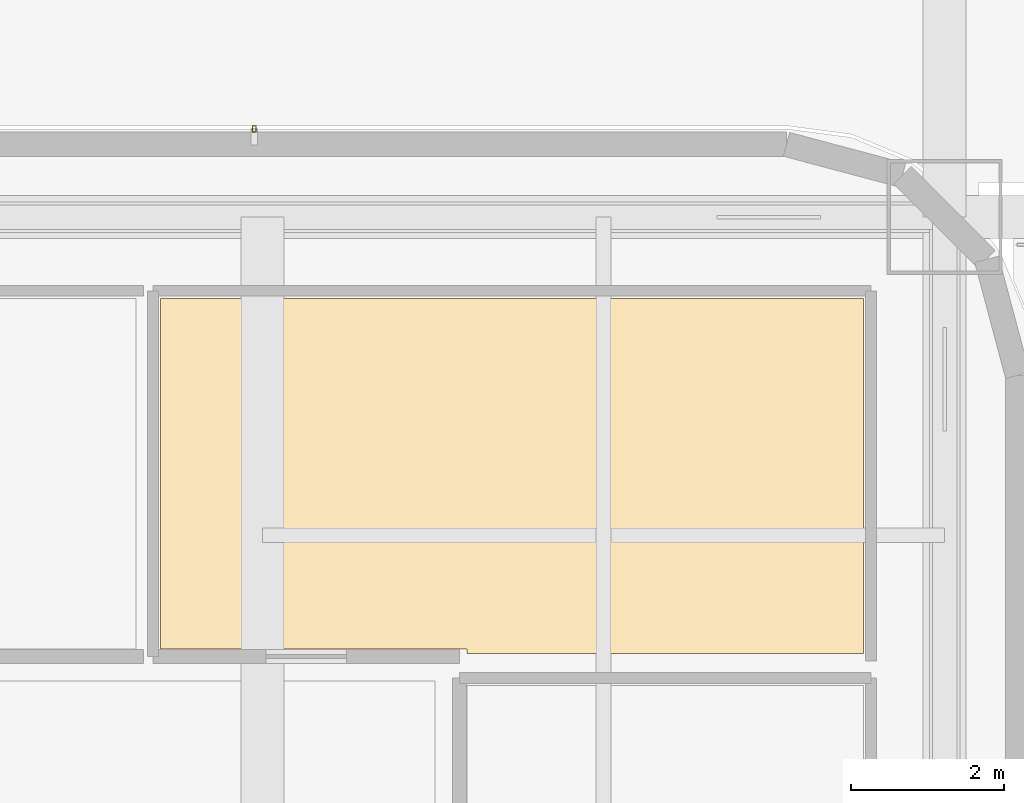
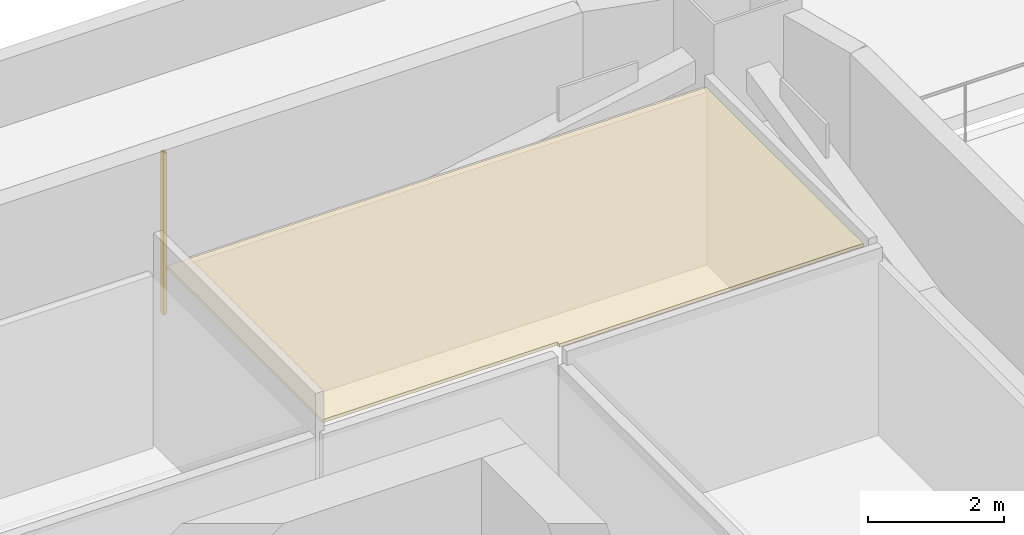
# One storey, part 29 of 30: 1 covering, 1 shading device.
"""IFC4 building model written with IfcOpenShell, lengths in metres."""

from ifc_helpers import new_model, si_unit, direction, frame, origin, origin_2d, place, context, subcontext, project, spatial, polyline, hollow_rectangle, outline, extrude, material, layer, layer_set, material_profile, profile_set, type_object, element, save


model = new_model("IFC4")

# Units and contexts
model_context = context("Model", 3, precision=1e-05, world=origin(), true_north=direction((0.0, 1.0)))
body_context = subcontext(model_context, "Body", "Model", "MODEL_VIEW")
ifc_project = project(units=[si_unit("LENGTHUNIT", "METRE"), si_unit("AREAUNIT", "SQUARE_METRE"), si_unit("VOLUMEUNIT", "CUBIC_METRE"), si_unit("PLANEANGLEUNIT", "RADIAN"), si_unit("MASSUNIT", "GRAM", prefix="KILO")], contexts=[model_context])

# Site, building, storey
site_placement = place(None, origin())
site = spatial("IfcSite", under=ifc_project, at=site_placement, CompositionType="ELEMENT")
building_placement = place(site_placement, origin())
building = spatial("IfcBuilding", under=site, at=building_placement, Name="Punatoya Terracotta Tower", CompositionType="ELEMENT")
storey_placement = place(building_placement, frame((0.0, 0.0, 28.199951171875)))
storey = spatial("IfcBuildingStorey", under=building, at=storey_placement, Name="L05", CompositionType="ELEMENT", Elevation=28.199951171875)

# Covering
ifc_material_1 = material(Name="Acoustic Mineral Fibre Ceiling")
ifc_layer = layer(ifc_material_1, 0.06005859375)
ifc_layer_set = layer_set([ifc_layer], Name="Acoustic Mineral Fibre Ceiling")
covering_type = type_object("IfcCoveringType", Name="COV-CEIL-60", PredefinedType="CEILING", material=ifc_layer_set)
covering_placement = place(storey_placement, frame((0.0, 0.0, 3.16015625)))
element("IfcCovering", 1, at=covering_placement, inside=storey, type_object=covering_type, Name="L05 Wellness Quiet Room Acoustic Ceiling", PredefinedType="CEILING", context=body_context, shape_type="SweptSolid", body=[
    extrude(outline(polyline([(8.8720703125, 11.8701171875), (12.8701171875, 11.8701171875), (12.8701171875, 11.81005859375), (18.0400390625, 11.81005859375), (18.0400390625, 16.43994140625), (8.8720703125, 16.43994140625), (8.8720703125, 11.8701171875)])), origin(), (0.0, 0.0, 1.0), 0.059814453125),
])

# Shading device
ifc_material_2 = material(Name="Architectural Fired Terracotta", Category="masonry")
ifc_material_profile = material_profile(ifc_material_2, hollow_rectangle(XDim=0.06005859375, YDim=0.090087890625, WallThickness=0.013916015625, at=origin_2d()))
ifc_profile_set = profile_set([ifc_material_profile], Name="Architectural Fired Terracotta")
shading_device_type = type_object("IfcShadingDeviceType", Name="SHD-JALI-90", PredefinedType="JALOUSIE", material=ifc_profile_set)
shading_device_placement = place(storey_placement, frame((10.093505859375, 18.64990234375, 0.60009765625), z_axis=(0.0, 0.0, 1.0), x_axis=(1.0, 0.0, 0.0)))
element("IfcShadingDevice", 2, at=shading_device_placement, inside=storey, type_object=shading_device_type, Name="L05 Braced Bay Terracotta Jali Fin N1", PredefinedType="JALOUSIE", context=body_context, shape_type="SweptSolid", body=[
    extrude(hollow_rectangle(XDim=0.06005859375, YDim=0.090087890625, WallThickness=0.013916015625, at=origin_2d()), origin(), (0.0, 0.0, 1.0), 2.909912109375),
])

save(model, "model.ifc")
